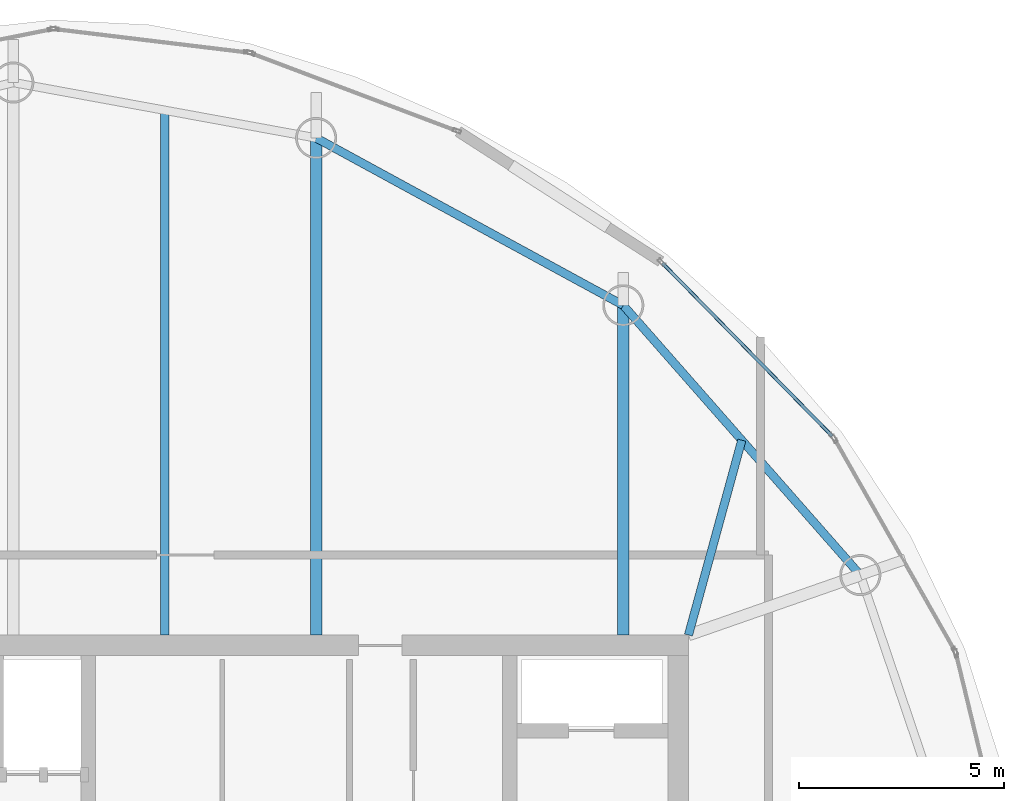
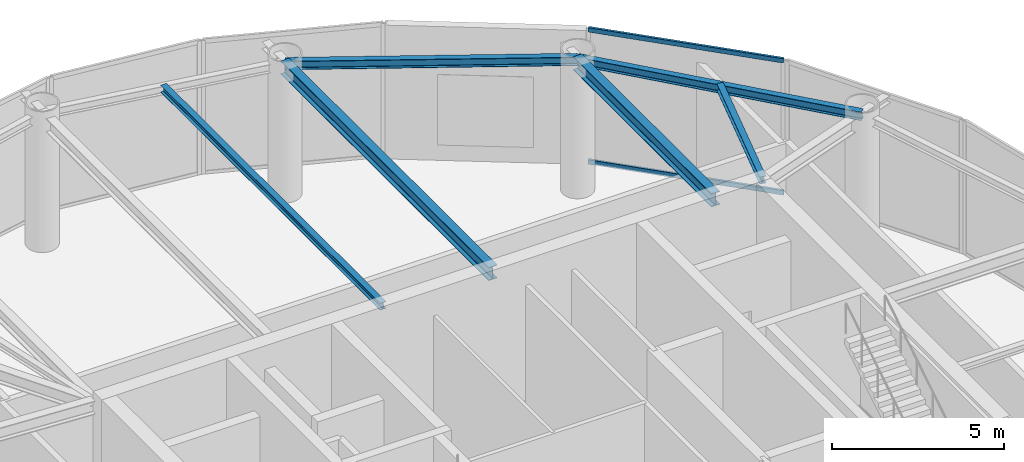
# One storey, part 14 of 23: 6 beams, 2 members, 1 element without a shape of its own.
"""IFC4 building model written with IfcOpenShell, lengths in metres."""

from ifc_helpers import new_model, si_unit, direction, frame, origin, origin_2d, place, context, subcontext, project, spatial, hollow_rectangle, i_section, extrude, material, layer, layer_set, material_profile, profile_set, type_object, element, aggregate, save


model = new_model("IFC4")

# Units and contexts
model_context = context("Model", 3, precision=1e-05, world=origin(), true_north=direction((0.0, 1.0)))
body_context = subcontext(model_context, "Body", "Model", "MODEL_VIEW")
ifc_project = project(units=[si_unit("LENGTHUNIT", "METRE"), si_unit("AREAUNIT", "SQUARE_METRE"), si_unit("VOLUMEUNIT", "CUBIC_METRE"), si_unit("PLANEANGLEUNIT", "RADIAN"), si_unit("MASSUNIT", "GRAM", prefix="KILO")], contexts=[model_context])

# Site, building, storey
site_placement = place(None, origin())
site = spatial("IfcSite", under=ifc_project, at=site_placement, CompositionType="ELEMENT")
building_placement = place(site_placement, origin())
building = spatial("IfcBuilding", under=site, at=building_placement, Name="Bramvorn Convention Spire", CompositionType="ELEMENT")
storey_placement = place(building_placement, frame((0.0, 0.0, 307.5)))
storey = spatial("IfcBuildingStorey", under=building, at=storey_placement, Name="L78", CompositionType="ELEMENT", Elevation=307.5)

# Beams
ifc_material_1 = material(Name="Steel CSA G40.21 Grade 350 (350W)", Category="steel")
ifc_material_profile_1 = material_profile(ifc_material_1, i_section(OverallWidth=0.201904296875, OverallDepth=0.2470703125, WebThickness=0.00732421875, FlangeThickness=0.010986328125, FilletRadius=0.011962890625, at=origin_2d()))
ifc_profile_set_1 = profile_set([ifc_material_profile_1], Name="Steel CSA G40.21 Grade 350 (350W) - W250X49")
beam_type_1 = type_object("IfcBeamType", Name="BM-W250X49", PredefinedType="JOIST", material=ifc_profile_set_1)
beam_1_placement = place(storey_placement, frame((49.25, 33.449951171875, 4.62646484375), z_axis=(0.26386506219, 0.96455960363, 0.0), x_axis=(-0.96455960363, 0.26386506219, 0.0)))
element("IfcBeam", 1, at=beam_1_placement, inside=storey, type_object=beam_type_1, Name="L78 composite floor joist 05", PredefinedType="JOIST", context=body_context, shape_type="SweptSolid", body=[
    extrude(i_section(OverallWidth=0.201904296875, OverallDepth=0.2470703125, WebThickness=0.00732421875, FlangeThickness=0.010986328125, FilletRadius=0.011962890625, at=origin_2d()), origin(), (0.0, 0.0, 1.0), 4.917724609375),
])
beam_2_placement = place(storey_placement, frame((36.498046875, 33.449951171875, 4.62646484375), z_axis=(0.0, 1.0, 0.0), x_axis=(-1.0, 0.0, 0.0)))
element("IfcBeam", 2, at=beam_2_placement, inside=storey, type_object=beam_type_1, Name="L78 composite floor joist 07", PredefinedType="JOIST", context=body_context, shape_type="SweptSolid", body=[
    extrude(i_section(OverallWidth=0.201904296875, OverallDepth=0.2470703125, WebThickness=0.00732421875, FlangeThickness=0.010986328125, FilletRadius=0.011962890625, at=origin_2d()), origin(), (0.0, 0.0, 1.0), 12.77587890625),
])
ifc_material_profile_2 = material_profile(ifc_material_1, i_section(OverallWidth=0.202880859375, OverallDepth=0.302978515625, WebThickness=0.007568359375, FlangeThickness=0.01318359375, FilletRadius=0.013916015625, at=origin_2d()))
ifc_profile_set_2 = profile_set([ifc_material_profile_2], Name="Steel CSA G40.21 Grade 350 (350W) - W310X60")
beam_type_2 = type_object("IfcBeamType", Name="BM-W310X60", PredefinedType="JOIST", material=ifc_profile_set_2)
beam_3_placement = place(storey_placement, frame((53.4326171875, 34.909912109375, 4.598388671875), z_axis=(-0.660073062339, 0.751201405999, 0.0), x_axis=(-0.751201405999, -0.660073062339, 0.0)))
element("IfcBeam", 3, at=beam_3_placement, inside=storey, type_object=beam_type_2, Name="L78 mega-column ring beam 05", PredefinedType="JOIST", context=body_context, shape_type="SweptSolid", body=[
    extrude(i_section(OverallWidth=0.202880859375, OverallDepth=0.302978515625, WebThickness=0.007568359375, FlangeThickness=0.01318359375, FilletRadius=0.013916015625, at=origin_2d()), origin(), (0.0, 0.0, 1.0), 8.741943359375),
])
beam_4_placement = place(storey_placement, frame((47.662353515625, 41.476806640625, 4.598388671875), z_axis=(-0.878133224771, 0.478416178189, 0.0), x_axis=(-0.478416178189, -0.878133224771, 0.0)))
element("IfcBeam", 4, at=beam_4_placement, inside=storey, type_object=beam_type_2, Name="L78 mega-column ring beam 06", PredefinedType="JOIST", context=body_context, shape_type="SweptSolid", body=[
    extrude(i_section(OverallWidth=0.202880859375, OverallDepth=0.302978515625, WebThickness=0.007568359375, FlangeThickness=0.01318359375, FilletRadius=0.013916015625, at=origin_2d()), origin(), (0.0, 0.0, 1.0), 8.515625),
])
ifc_material_profile_3 = material_profile(ifc_material_1, i_section(OverallWidth=0.283935546875, OverallDepth=0.47607421875, WebThickness=0.014892578125, FlangeThickness=0.02392578125, FilletRadius=0.01806640625, at=origin_2d()))
ifc_profile_set_3 = profile_set([ifc_material_profile_3], Name="Steel CSA G40.21 Grade 350 (350W) - W460X158")
beam_type_3 = type_object("IfcBeamType", Name="BM-W460X158", PredefinedType="SPANDREL", material=ifc_profile_set_3)
beam_5_placement = place(storey_placement, frame((47.662353515625, 33.449951171875, 4.511962890625), z_axis=(0.0, 1.0, 0.0), x_axis=(-1.0, 0.0, 0.0)))
element("IfcBeam", 5, at=beam_5_placement, inside=storey, type_object=beam_type_3, Name="L78 radial floor girder MC06", PredefinedType="SPANDREL", context=body_context, shape_type="SweptSolid", body=[
    extrude(i_section(OverallWidth=0.283935546875, OverallDepth=0.47607421875, WebThickness=0.014892578125, FlangeThickness=0.02392578125, FilletRadius=0.01806640625, at=origin_2d()), origin(), (0.0, 0.0, 1.0), 8.02685546875),
])
beam_6_placement = place(storey_placement, frame((40.1845703125, 33.449951171875, 4.511962890625), z_axis=(0.0, 1.0, 0.0), x_axis=(-1.0, 0.0, 0.0)))
element("IfcBeam", 6, at=beam_6_placement, inside=storey, type_object=beam_type_3, Name="L78 radial floor girder MC07", PredefinedType="SPANDREL", context=body_context, shape_type="SweptSolid", body=[
    extrude(i_section(OverallWidth=0.283935546875, OverallDepth=0.47607421875, WebThickness=0.014892578125, FlangeThickness=0.02392578125, FilletRadius=0.01806640625, at=origin_2d()), origin(), (0.0, 0.0, 1.0), 12.100830078125),
])

# Curtain wall, members
ifc_material_2 = material(Name="Anodised Bronze Unitised Curtain Wall", Category="aluminium")
ifc_layer = layer(ifc_material_2, 0.199951171875)
ifc_layer_set = layer_set([ifc_layer], Name="Anodised Bronze Unitised Curtain Wall - CW-PLANT-LOUVRE")
curtain_wall_type = type_object("IfcCurtainWallType", Name="CW-PLANT-LOUVRE", PredefinedType="USERDEFINED", material=ifc_layer_set)
curtain_wall_placement = place(storey_placement, origin())
curtain_wall = element("IfcCurtainWall", 7, at=curtain_wall_placement, inside=storey, type_object=curtain_wall_type, Name="L78 fritted glass curtain wall 08", ObjectType="UNITISED CURTAIN WALL", PredefinedType="USERDEFINED")
ifc_material_3 = material(Name="Anodised Bronze Aluminium 6063-T6", Category="aluminium")
ifc_material_profile_4 = material_profile(ifc_material_3, hollow_rectangle(XDim=0.080078125, YDim=0.159912109375, WallThickness=0.00390625, InnerFilletRadius=0.0009765625, OuterFilletRadius=0.00390625, at=origin_2d()))
ifc_profile_set_4 = profile_set([ifc_material_profile_4], Name="Anodised Bronze Aluminium 6063-T6 - CWT80X160")
member_type = type_object("IfcMemberType", Name="CW-TRN-150", PredefinedType="USERDEFINED", material=ifc_profile_set_4)
member_1_placement = place(storey_placement, frame((48.617919921875, 42.502197265625, 0.030029296875), z_axis=(0.700428259841, -0.713722812313, 0.0), x_axis=(0.713722812313, 0.700428259841, 0.0)))
member_1 = element("IfcMember", 8, at=member_1_placement, type_object=member_type, Name="CW5 transom 1.1", ObjectType="TRANSOM", PredefinedType="USERDEFINED", context=body_context, shape_type="SweptSolid", body=[
    extrude(hollow_rectangle(XDim=0.080078125, YDim=0.159912109375, WallThickness=0.00390625, InnerFilletRadius=0.0009765625, OuterFilletRadius=0.00390625, at=origin_2d()), origin(), (0.0, 0.0, 1.0), 5.894775390625),
])
member_2_placement = place(storey_placement, frame((48.617919921875, 42.502197265625, 4.719970703125), z_axis=(0.700428259841, -0.713722812313, 0.0), x_axis=(0.713722812313, 0.700428259841, 0.0)))
member_2 = element("IfcMember", 9, at=member_2_placement, type_object=member_type, Name="CW5 transom 1.2", ObjectType="TRANSOM", PredefinedType="USERDEFINED", context=body_context, shape_type="SweptSolid", body=[
    extrude(hollow_rectangle(XDim=0.080078125, YDim=0.159912109375, WallThickness=0.00390625, InnerFilletRadius=0.0009765625, OuterFilletRadius=0.00390625, at=origin_2d()), origin(), (0.0, 0.0, 1.0), 5.894775390625),
])
aggregate(curtain_wall, [member_1, member_2])

save(model, "model.ifc")
